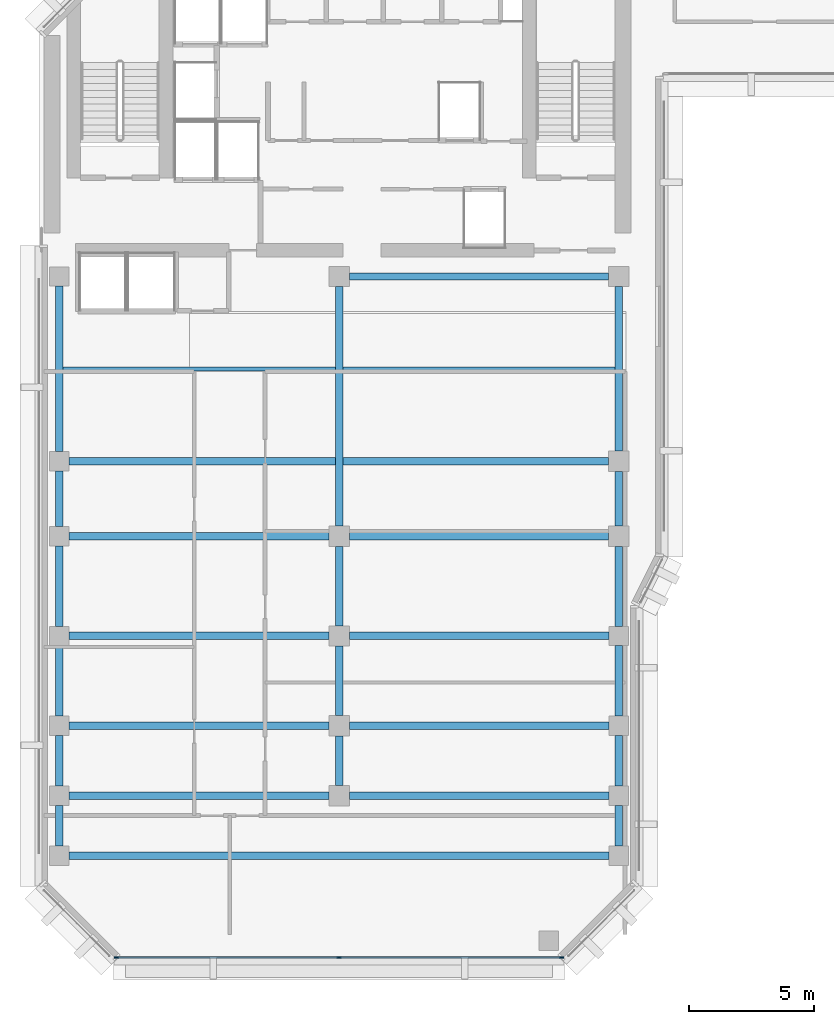
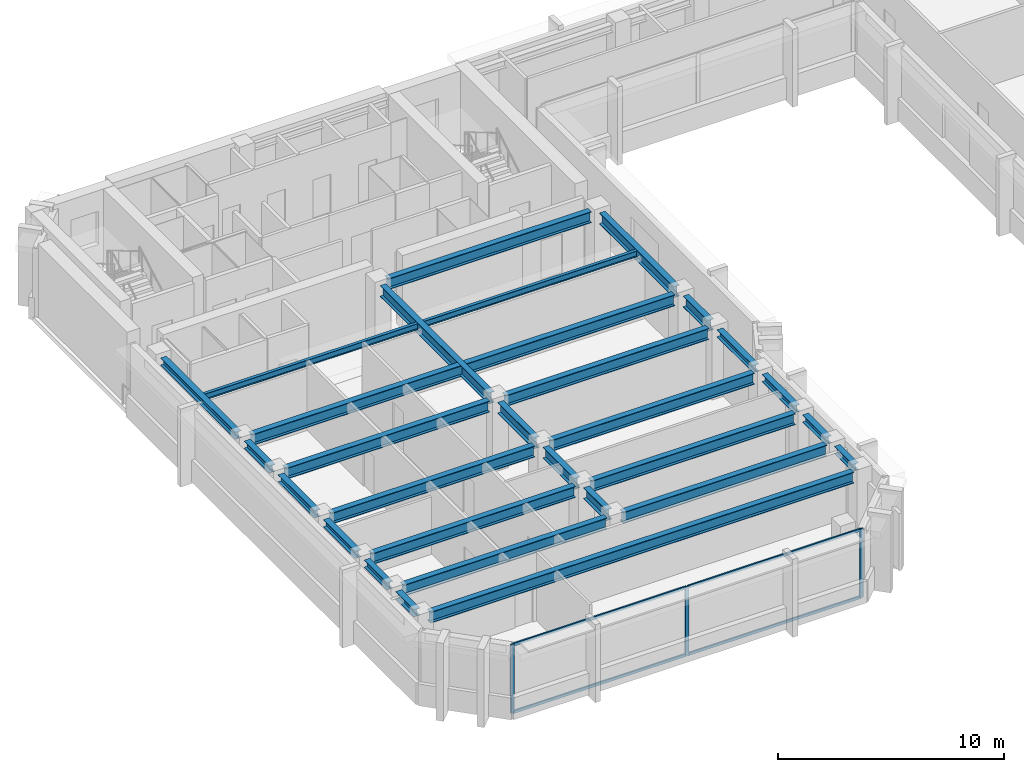
# One storey, part 2 of 11: 29 beams, 7 members, 1 element without a shape of its own.
"""IFC4 building model written with IfcOpenShell, lengths in metres."""

from ifc_helpers import new_model, si_unit, direction, frame, origin, origin_2d, place, context, subcontext, project, spatial, rectangle, i_section, extrude, material, layer, layer_set, material_profile, profile_set, type_object, element, aggregate, save


model = new_model("IFC4")

# Units and contexts
model_context = context("Model", 3, precision=1e-05, world=origin(), true_north=direction((0.0, 1.0)))
body_context = subcontext(model_context, "Body", "Model", "MODEL_VIEW")
ifc_project = project(units=[si_unit("LENGTHUNIT", "METRE"), si_unit("AREAUNIT", "SQUARE_METRE"), si_unit("VOLUMEUNIT", "CUBIC_METRE"), si_unit("PLANEANGLEUNIT", "RADIAN"), si_unit("MASSUNIT", "GRAM", prefix="KILO")], contexts=[model_context])

# Site, building, storey
site_placement = place(None, origin())
site = spatial("IfcSite", under=ifc_project, at=site_placement, CompositionType="ELEMENT")
building_placement = place(site_placement, origin())
building = spatial("IfcBuilding", under=site, at=building_placement, Name="Kefirva Bronze Tower", CompositionType="ELEMENT")
storey_placement = place(building_placement, frame((0.0, 0.0, 243.5400390625)))
storey = spatial("IfcBuildingStorey", under=building, at=storey_placement, Name="L59", CompositionType="ELEMENT", Elevation=243.5400390625)

# Curtain wall, members
ifc_material_1 = material(Name="Bronze anodised aluminium", Category="aluminium")
ifc_layer = layer(ifc_material_1, 0.179931640625, Name="Bronze anodised aluminium")
ifc_layer_set = layer_set([ifc_layer], Name="Bronze anodised aluminium")
curtain_wall_type = type_object("IfcCurtainWallType", Name="Unitised Bronze Ribbon Curtain Wall Zone 3", PredefinedType="USERDEFINED", material=ifc_layer_set)
curtain_wall_placement = place(storey_placement, origin())
curtain_wall = element("IfcCurtainWall", 1, at=curtain_wall_placement, inside=storey, type_object=curtain_wall_type, Name="L59 Curtain Wall 1", ObjectType="UNITISED CURTAIN WALL", PredefinedType="USERDEFINED")
ifc_material_profile_1 = material_profile(ifc_material_1, rectangle(XDim=0.074951171875, YDim=0.179931640625, at=origin_2d()), Name="ALU 75x180")
ifc_profile_set_1 = profile_set([ifc_material_profile_1], Name="Bronze anodised aluminium")
member_type_1 = type_object("IfcMemberType", Name="Bronze Mullion 75x180", PredefinedType="MULLION", material=ifc_profile_set_1)
member_1_placement = place(storey_placement, frame((3.092529296875, 5.919921875, 0.0), z_axis=(0.0, 0.0, 1.0), x_axis=(0.0, 1.0, 0.0)))
member_1 = element("IfcMember", 2, at=member_1_placement, type_object=member_type_1, Name="CW-03 mullion 1", PredefinedType="MULLION", context=body_context, shape_type="SweptSolid", body=[
    extrude(rectangle(XDim=0.074951171875, YDim=0.179931640625, at=origin_2d()), origin(), (0.0, 0.0, 1.0), 3.7099609375),
])
member_2_placement = place(storey_placement, frame((12.0, 5.919921875, 0.0), z_axis=(0.0, 0.0, 1.0), x_axis=(0.0, 1.0, 0.0)))
member_2 = element("IfcMember", 3, at=member_2_placement, type_object=member_type_1, Name="CW-03 mullion 2", PredefinedType="MULLION", context=body_context, shape_type="SweptSolid", body=[
    extrude(rectangle(XDim=0.074951171875, YDim=0.179931640625, at=origin_2d()), origin(), (0.0, 0.0, 1.0), 3.7099609375),
])
member_3_placement = place(storey_placement, frame((20.907470703125, 5.919921875, 0.0), z_axis=(0.0, 0.0, 1.0), x_axis=(0.0, 1.0, 0.0)))
member_3 = element("IfcMember", 4, at=member_3_placement, type_object=member_type_1, Name="CW-03 mullion 3", PredefinedType="MULLION", context=body_context, shape_type="SweptSolid", body=[
    extrude(rectangle(XDim=0.074951171875, YDim=0.179931640625, at=origin_2d()), origin(), (0.0, 0.0, 1.0), 3.7099609375),
])
ifc_material_profile_2 = material_profile(ifc_material_1, rectangle(XDim=0.074951171875, YDim=0.14990234375, at=origin_2d()), Name="ALU 75x150")
ifc_profile_set_2 = profile_set([ifc_material_profile_2], Name="Bronze anodised aluminium")
member_type_2 = type_object("IfcMemberType", Name="Bronze Transom 75x150", PredefinedType="USERDEFINED", material=ifc_profile_set_2)
member_4_placement = place(storey_placement, frame((3.1298828125, 5.919921875, 0.037353515625), z_axis=(1.0, 0.0, 0.0), x_axis=(0.0, 1.0, 0.0)))
member_4 = element("IfcMember", 5, at=member_4_placement, type_object=member_type_2, Name="CW-03 transom 1.1", ObjectType="TRANSOM", PredefinedType="USERDEFINED", context=body_context, shape_type="SweptSolid", body=[
    extrude(rectangle(XDim=0.074951171875, YDim=0.14990234375, at=origin_2d()), origin(), (0.0, 0.0, 1.0), 8.83251953125),
])
member_5_placement = place(storey_placement, frame((3.1298828125, 5.919921875, 3.67236328125), z_axis=(1.0, 0.0, 0.0), x_axis=(0.0, 1.0, 0.0)))
member_5 = element("IfcMember", 6, at=member_5_placement, type_object=member_type_2, Name="CW-03 transom 1.2", ObjectType="TRANSOM", PredefinedType="USERDEFINED", context=body_context, shape_type="SweptSolid", body=[
    extrude(rectangle(XDim=0.074951171875, YDim=0.14990234375, at=origin_2d()), origin(), (0.0, 0.0, 1.0), 8.83251953125),
])
member_6_placement = place(storey_placement, frame((12.03759765625, 5.919921875, 0.037353515625), z_axis=(1.0, 0.0, 0.0), x_axis=(0.0, 1.0, 0.0)))
member_6 = element("IfcMember", 7, at=member_6_placement, type_object=member_type_2, Name="CW-03 transom 2.1", ObjectType="TRANSOM", PredefinedType="USERDEFINED", context=body_context, shape_type="SweptSolid", body=[
    extrude(rectangle(XDim=0.074951171875, YDim=0.14990234375, at=origin_2d()), origin(), (0.0, 0.0, 1.0), 8.83251953125),
])
member_7_placement = place(storey_placement, frame((12.03759765625, 5.919921875, 3.67236328125), z_axis=(1.0, 0.0, 0.0), x_axis=(0.0, 1.0, 0.0)))
member_7 = element("IfcMember", 8, at=member_7_placement, type_object=member_type_2, Name="CW-03 transom 2.2", ObjectType="TRANSOM", PredefinedType="USERDEFINED", context=body_context, shape_type="SweptSolid", body=[
    extrude(rectangle(XDim=0.074951171875, YDim=0.14990234375, at=origin_2d()), origin(), (0.0, 0.0, 1.0), 8.83251953125),
])
aggregate(curtain_wall, [member_1, member_2, member_3, member_4, member_5, member_6, member_7])

# Beams
ifc_material_2 = material(Name="Steel S355", Category="steel")
ifc_material_profile_3 = material_profile(ifc_material_2, i_section(OverallWidth=0.159912109375, OverallDepth=0.330078125, WebThickness=0.007568359375, FlangeThickness=0.011474609375, at=origin_2d()), Name="IPE 330")
ifc_profile_set_3 = profile_set([ifc_material_profile_3], Name="Steel S355")
beam_type_1 = type_object("IfcBeamType", Name="Steel Floor Joist IPE 330", PredefinedType="JOIST", material=ifc_profile_set_3)
for number, where, z_axis, x_axis, name in (
    (9, (0.949951171875, 29.489990234375, 3.544921875), (1.0, 0.0, 0.0), (0.0, 1.0, 0.0), "L59 JST-L59-0-294"),
    (10, (12.14990234375, 29.5, 3.544921875), (1.0, 0.0, 0.0), (0.0, 1.0, 0.0), "L59 JST-L59-12-295"),
):
    element("IfcBeam", number, at=place(storey_placement, frame(where, z_axis=z_axis, x_axis=x_axis)), inside=storey, type_object=beam_type_1, Name=name, PredefinedType="JOIST", context=body_context, shape_type="SweptSolid", body=[
        extrude(i_section(OverallWidth=0.159912109375, OverallDepth=0.330078125, WebThickness=0.007568359375, FlangeThickness=0.011474609375, at=origin_2d()), origin(), (0.0, 0.0, 1.0), 10.900146484375),
    ])
ifc_material_profile_4 = material_profile(ifc_material_2, i_section(OverallWidth=0.300048828125, OverallDepth=0.60009765625, WebThickness=0.015380859375, FlangeThickness=0.030029296875, at=origin_2d()), Name="HEB 600")
ifc_profile_set_4 = profile_set([ifc_material_profile_4], Name="Steel S355")
beam_type_2 = type_object("IfcBeamType", Name="Steel Girder HEB 600", PredefinedType="USERDEFINED", material=ifc_profile_set_4)
beam_1_placement = place(storey_placement, frame((1.18994140625, 10.0, 3.409912109375), z_axis=(1.0, 0.0, 0.0), x_axis=(0.0, 1.0, 0.0)))
element("IfcBeam", 11, at=beam_1_placement, inside=storey, type_object=beam_type_2, Name="L59 BM-L59-EW-0-100", ObjectType="GIRDER", PredefinedType="USERDEFINED", context=body_context, shape_type="SweptSolid", body=[
    extrude(i_section(OverallWidth=0.300048828125, OverallDepth=0.60009765625, WebThickness=0.015380859375, FlangeThickness=0.030029296875, at=origin_2d()), origin(), (0.0, 0.0, 1.0), 21.6201171875),
])
for number, where, z_axis, x_axis, name in (
    (12, (1.18994140625, 12.39990234375, 3.409912109375), (1.0, 0.0, 0.0), (0.0, 1.0, 0.0), "L59 BM-L59-EW-0-124"),
    (13, (12.409912109375, 12.39990234375, 3.409912109375), (1.0, 0.0, 0.0), (0.0, 1.0, 0.0), "L59 BM-L59-EW-12-124"),
    (14, (1.18994140625, 15.199951171875, 3.409912109375), (1.0, 0.0, 0.0), (0.0, 1.0, 0.0), "L59 BM-L59-EW-0-152"),
    (15, (12.409912109375, 15.199951171875, 3.409912109375), (1.0, 0.0, 0.0), (0.0, 1.0, 0.0), "L59 BM-L59-EW-12-152"),
    (16, (1.18994140625, 18.800048828125, 3.409912109375), (1.0, 0.0, 0.0), (0.0, 1.0, 0.0), "L59 BM-L59-EW-0-188"),
    (17, (12.409912109375, 18.800048828125, 3.409912109375), (1.0, 0.0, 0.0), (0.0, 1.0, 0.0), "L59 BM-L59-EW-12-188"),
    (18, (1.18994140625, 22.800048828125, 3.409912109375), (1.0, 0.0, 0.0), (0.0, 1.0, 0.0), "L59 BM-L59-EW-0-228"),
):
    element("IfcBeam", number, at=place(storey_placement, frame(where, z_axis=z_axis, x_axis=x_axis)), inside=storey, type_object=beam_type_2, Name=name, ObjectType="GIRDER", PredefinedType="USERDEFINED", context=body_context, shape_type="SweptSolid", body=[
        extrude(i_section(OverallWidth=0.300048828125, OverallDepth=0.60009765625, WebThickness=0.015380859375, FlangeThickness=0.030029296875, at=origin_2d()), origin(), (0.0, 0.0, 1.0), 10.400146484375),
    ])
beam_2_placement = place(storey_placement, frame((12.409912109375, 22.800048828125, 3.409912109375), z_axis=(1.0, 0.0, 0.0), x_axis=(0.0, 1.0, 0.0)))
element("IfcBeam", 19, at=beam_2_placement, inside=storey, type_object=beam_type_2, Name="L59 BM-L59-EW-12-228", ObjectType="GIRDER", PredefinedType="USERDEFINED", context=body_context, shape_type="SweptSolid", body=[
    extrude(i_section(OverallWidth=0.300048828125, OverallDepth=0.60009765625, WebThickness=0.015380859375, FlangeThickness=0.030029296875, at=origin_2d()), origin(), (0.0, 0.0, 1.0), 10.380126953125),
])
beam_3_placement = place(storey_placement, frame((1.18994140625, 25.800048828125, 3.409912109375), z_axis=(1.0, 0.0, 0.0), x_axis=(0.0, 1.0, 0.0)))
element("IfcBeam", 20, at=beam_3_placement, inside=storey, type_object=beam_type_2, Name="L59 BM-L59-EW-0-258", ObjectType="GIRDER", PredefinedType="USERDEFINED", context=body_context, shape_type="SweptSolid", body=[
    extrude(i_section(OverallWidth=0.300048828125, OverallDepth=0.60009765625, WebThickness=0.015380859375, FlangeThickness=0.030029296875, at=origin_2d()), origin(), (0.0, 0.0, 1.0), 21.60009765625),
])
beam_4_placement = place(storey_placement, frame((12.409912109375, 33.199951171875, 3.409912109375), z_axis=(1.0, 0.0, 0.0), x_axis=(0.0, 1.0, 0.0)))
element("IfcBeam", 21, at=beam_4_placement, inside=storey, type_object=beam_type_2, Name="L59 BM-L59-EW-12-332", ObjectType="GIRDER", PredefinedType="USERDEFINED", context=body_context, shape_type="SweptSolid", body=[
    extrude(i_section(OverallWidth=0.300048828125, OverallDepth=0.60009765625, WebThickness=0.015380859375, FlangeThickness=0.030029296875, at=origin_2d()), origin(), (0.0, 0.0, 1.0), 10.380126953125),
])
beam_5_placement = place(storey_placement, frame((12.0, 12.81005859375, 3.409912109375), z_axis=(0.0, 1.0, 0.0), x_axis=(-1.0, 0.0, 0.0)))
element("IfcBeam", 22, at=beam_5_placement, inside=storey, type_object=beam_type_2, Name="L59 BM-L59-NS-120-12", ObjectType="GIRDER", PredefinedType="USERDEFINED", context=body_context, shape_type="SweptSolid", body=[
    extrude(i_section(OverallWidth=0.300048828125, OverallDepth=0.60009765625, WebThickness=0.015380859375, FlangeThickness=0.030029296875, at=origin_2d()), origin(), (0.0, 0.0, 1.0), 1.97998046875),
])
beam_6_placement = place(storey_placement, frame((12.0, 15.610107421875, 3.409912109375), z_axis=(0.0, 1.0, 0.0), x_axis=(-1.0, 0.0, 0.0)))
element("IfcBeam", 23, at=beam_6_placement, inside=storey, type_object=beam_type_2, Name="L59 BM-L59-NS-120-15", ObjectType="GIRDER", PredefinedType="USERDEFINED", context=body_context, shape_type="SweptSolid", body=[
    extrude(i_section(OverallWidth=0.300048828125, OverallDepth=0.60009765625, WebThickness=0.015380859375, FlangeThickness=0.030029296875, at=origin_2d()), origin(), (0.0, 0.0, 1.0), 2.77978515625),
])
beam_7_placement = place(storey_placement, frame((12.0, 19.2099609375, 3.409912109375), z_axis=(0.0, 1.0, 0.0), x_axis=(-1.0, 0.0, 0.0)))
element("IfcBeam", 24, at=beam_7_placement, inside=storey, type_object=beam_type_2, Name="L59 BM-L59-NS-120-18", ObjectType="GIRDER", PredefinedType="USERDEFINED", context=body_context, shape_type="SweptSolid", body=[
    extrude(i_section(OverallWidth=0.300048828125, OverallDepth=0.60009765625, WebThickness=0.015380859375, FlangeThickness=0.030029296875, at=origin_2d()), origin(), (0.0, 0.0, 1.0), 3.179931640625),
])
beam_8_placement = place(storey_placement, frame((12.0, 23.2099609375, 3.409912109375), z_axis=(0.0, 1.0, 0.0), x_axis=(-1.0, 0.0, 0.0)))
element("IfcBeam", 25, at=beam_8_placement, inside=storey, type_object=beam_type_2, Name="L59 BM-L59-NS-120-22", ObjectType="GIRDER", PredefinedType="USERDEFINED", context=body_context, shape_type="SweptSolid", body=[
    extrude(i_section(OverallWidth=0.300048828125, OverallDepth=0.60009765625, WebThickness=0.015380859375, FlangeThickness=0.030029296875, at=origin_2d()), origin(), (0.0, 0.0, 1.0), 9.580078125),
])
beam_9_placement = place(storey_placement, frame((23.199951171875, 23.2099609375, 3.409912109375), z_axis=(0.0, 1.0, 0.0), x_axis=(-1.0, 0.0, 0.0)))
element("IfcBeam", 26, at=beam_9_placement, inside=storey, type_object=beam_type_2, Name="L59 BM-L59-NS-232-22", ObjectType="GIRDER", PredefinedType="USERDEFINED", context=body_context, shape_type="SweptSolid", body=[
    extrude(i_section(OverallWidth=0.300048828125, OverallDepth=0.60009765625, WebThickness=0.015380859375, FlangeThickness=0.030029296875, at=origin_2d()), origin(), (0.0, 0.0, 1.0), 2.179931640625),
])
beam_10_placement = place(storey_placement, frame((23.199951171875, 26.2099609375, 3.409912109375), z_axis=(0.0, 1.0, 0.0), x_axis=(-1.0, 0.0, 0.0)))
element("IfcBeam", 27, at=beam_10_placement, inside=storey, type_object=beam_type_2, Name="L59 BM-L59-NS-232-25", ObjectType="GIRDER", PredefinedType="USERDEFINED", context=body_context, shape_type="SweptSolid", body=[
    extrude(i_section(OverallWidth=0.300048828125, OverallDepth=0.60009765625, WebThickness=0.015380859375, FlangeThickness=0.030029296875, at=origin_2d()), origin(), (0.0, 0.0, 1.0), 6.580078125),
])
ifc_material_profile_5 = material_profile(ifc_material_2, i_section(OverallWidth=0.300048828125, OverallDepth=0.39990234375, WebThickness=0.013427734375, FlangeThickness=0.02392578125, at=origin_2d()), Name="HEB 400")
ifc_profile_set_5 = profile_set([ifc_material_profile_5], Name="Steel S355")
beam_type_3 = type_object("IfcBeamType", Name="Steel Spandrel HEB 400 Ext", PredefinedType="SPANDREL", material=ifc_profile_set_5)
beam_11_placement = place(storey_placement, frame((0.800048828125, 10.389892578125, 3.510009765625), z_axis=(0.0, 1.0, 0.0), x_axis=(-1.0, 0.0, 0.0)))
element("IfcBeam", 28, at=beam_11_placement, inside=storey, type_object=beam_type_3, Name="L59 BM-L59-NS-8-10", PredefinedType="SPANDREL", context=body_context, shape_type="SweptSolid", body=[
    extrude(i_section(OverallWidth=0.300048828125, OverallDepth=0.39990234375, WebThickness=0.013427734375, FlangeThickness=0.02392578125, at=origin_2d()), origin(), (0.0, 0.0, 1.0), 1.6201171875),
])
beam_12_placement = place(storey_placement, frame((0.800048828125, 12.7900390625, 3.510009765625), z_axis=(0.0, 1.0, 0.0), x_axis=(-1.0, 0.0, 0.0)))
element("IfcBeam", 29, at=beam_12_placement, inside=storey, type_object=beam_type_3, Name="L59 BM-L59-NS-8-12", PredefinedType="SPANDREL", context=body_context, shape_type="SweptSolid", body=[
    extrude(i_section(OverallWidth=0.300048828125, OverallDepth=0.39990234375, WebThickness=0.013427734375, FlangeThickness=0.02392578125, at=origin_2d()), origin(), (0.0, 0.0, 1.0), 2.02001953125),
])
beam_13_placement = place(storey_placement, frame((0.800048828125, 15.590087890625, 3.510009765625), z_axis=(0.0, 1.0, 0.0), x_axis=(-1.0, 0.0, 0.0)))
element("IfcBeam", 30, at=beam_13_placement, inside=storey, type_object=beam_type_3, Name="L59 BM-L59-NS-8-15", PredefinedType="SPANDREL", context=body_context, shape_type="SweptSolid", body=[
    extrude(i_section(OverallWidth=0.300048828125, OverallDepth=0.39990234375, WebThickness=0.013427734375, FlangeThickness=0.02392578125, at=origin_2d()), origin(), (0.0, 0.0, 1.0), 2.81982421875),
])
beam_14_placement = place(storey_placement, frame((0.800048828125, 19.18994140625, 3.510009765625), z_axis=(0.0, 1.0, 0.0), x_axis=(-1.0, 0.0, 0.0)))
element("IfcBeam", 31, at=beam_14_placement, inside=storey, type_object=beam_type_3, Name="L59 BM-L59-NS-8-18", PredefinedType="SPANDREL", context=body_context, shape_type="SweptSolid", body=[
    extrude(i_section(OverallWidth=0.300048828125, OverallDepth=0.39990234375, WebThickness=0.013427734375, FlangeThickness=0.02392578125, at=origin_2d()), origin(), (0.0, 0.0, 1.0), 3.219970703125),
])
beam_15_placement = place(storey_placement, frame((0.800048828125, 23.18994140625, 3.510009765625), z_axis=(0.0, 1.0, 0.0), x_axis=(-1.0, 0.0, 0.0)))
element("IfcBeam", 32, at=beam_15_placement, inside=storey, type_object=beam_type_3, Name="L59 BM-L59-NS-8-22", PredefinedType="SPANDREL", context=body_context, shape_type="SweptSolid", body=[
    extrude(i_section(OverallWidth=0.300048828125, OverallDepth=0.39990234375, WebThickness=0.013427734375, FlangeThickness=0.02392578125, at=origin_2d()), origin(), (0.0, 0.0, 1.0), 2.219970703125),
])
beam_16_placement = place(storey_placement, frame((0.800048828125, 26.18994140625, 3.510009765625), z_axis=(0.0, 1.0, 0.0), x_axis=(-1.0, 0.0, 0.0)))
element("IfcBeam", 33, at=beam_16_placement, inside=storey, type_object=beam_type_3, Name="L59 BM-L59-NS-8-25", PredefinedType="SPANDREL", context=body_context, shape_type="SweptSolid", body=[
    extrude(i_section(OverallWidth=0.300048828125, OverallDepth=0.39990234375, WebThickness=0.013427734375, FlangeThickness=0.02392578125, at=origin_2d()), origin(), (0.0, 0.0, 1.0), 6.6201171875),
])
beam_17_placement = place(storey_placement, frame((23.199951171875, 10.389892578125, 3.510009765625), z_axis=(0.0, 1.0, 0.0), x_axis=(-1.0, 0.0, 0.0)))
element("IfcBeam", 34, at=beam_17_placement, inside=storey, type_object=beam_type_3, Name="L59 BM-L59-NS-232-10", PredefinedType="SPANDREL", context=body_context, shape_type="SweptSolid", body=[
    extrude(i_section(OverallWidth=0.300048828125, OverallDepth=0.39990234375, WebThickness=0.013427734375, FlangeThickness=0.02392578125, at=origin_2d()), origin(), (0.0, 0.0, 1.0), 1.6201171875),
])
beam_18_placement = place(storey_placement, frame((23.199951171875, 12.7900390625, 3.510009765625), z_axis=(0.0, 1.0, 0.0), x_axis=(-1.0, 0.0, 0.0)))
element("IfcBeam", 35, at=beam_18_placement, inside=storey, type_object=beam_type_3, Name="L59 BM-L59-NS-232-12", PredefinedType="SPANDREL", context=body_context, shape_type="SweptSolid", body=[
    extrude(i_section(OverallWidth=0.300048828125, OverallDepth=0.39990234375, WebThickness=0.013427734375, FlangeThickness=0.02392578125, at=origin_2d()), origin(), (0.0, 0.0, 1.0), 2.02001953125),
])
beam_19_placement = place(storey_placement, frame((23.199951171875, 15.590087890625, 3.510009765625), z_axis=(0.0, 1.0, 0.0), x_axis=(-1.0, 0.0, 0.0)))
element("IfcBeam", 36, at=beam_19_placement, inside=storey, type_object=beam_type_3, Name="L59 BM-L59-NS-232-15", PredefinedType="SPANDREL", context=body_context, shape_type="SweptSolid", body=[
    extrude(i_section(OverallWidth=0.300048828125, OverallDepth=0.39990234375, WebThickness=0.013427734375, FlangeThickness=0.02392578125, at=origin_2d()), origin(), (0.0, 0.0, 1.0), 2.81982421875),
])
beam_20_placement = place(storey_placement, frame((23.199951171875, 19.18994140625, 3.510009765625), z_axis=(0.0, 1.0, 0.0), x_axis=(-1.0, 0.0, 0.0)))
element("IfcBeam", 37, at=beam_20_placement, inside=storey, type_object=beam_type_3, Name="L59 BM-L59-NS-232-18", PredefinedType="SPANDREL", context=body_context, shape_type="SweptSolid", body=[
    extrude(i_section(OverallWidth=0.300048828125, OverallDepth=0.39990234375, WebThickness=0.013427734375, FlangeThickness=0.02392578125, at=origin_2d()), origin(), (0.0, 0.0, 1.0), 3.199951171875),
])

save(model, "model.ifc")
